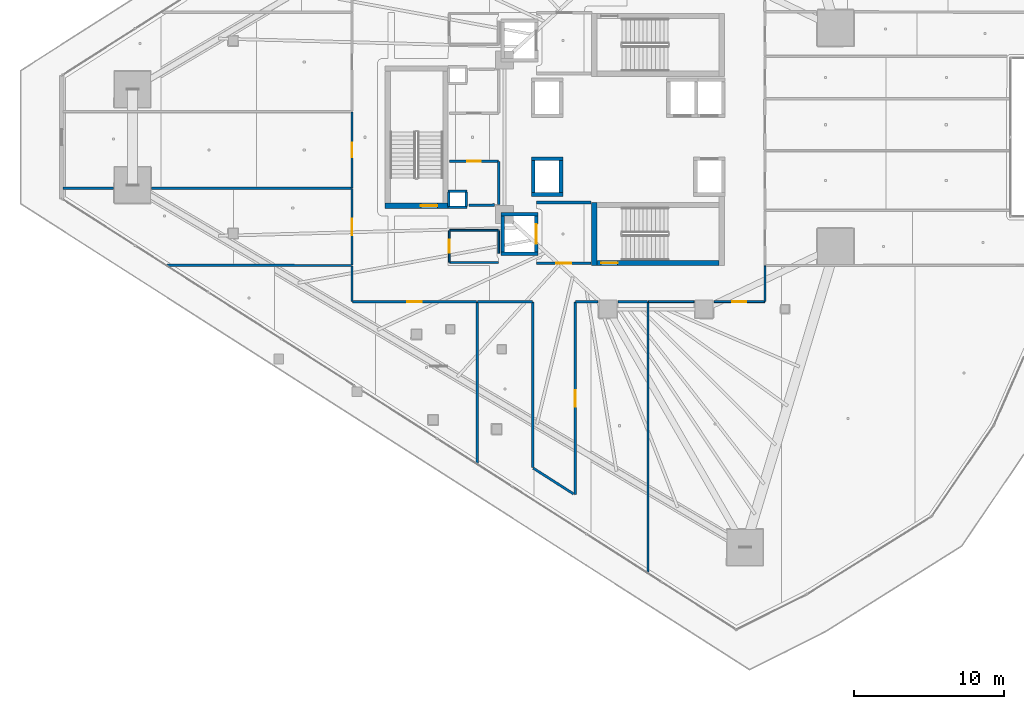
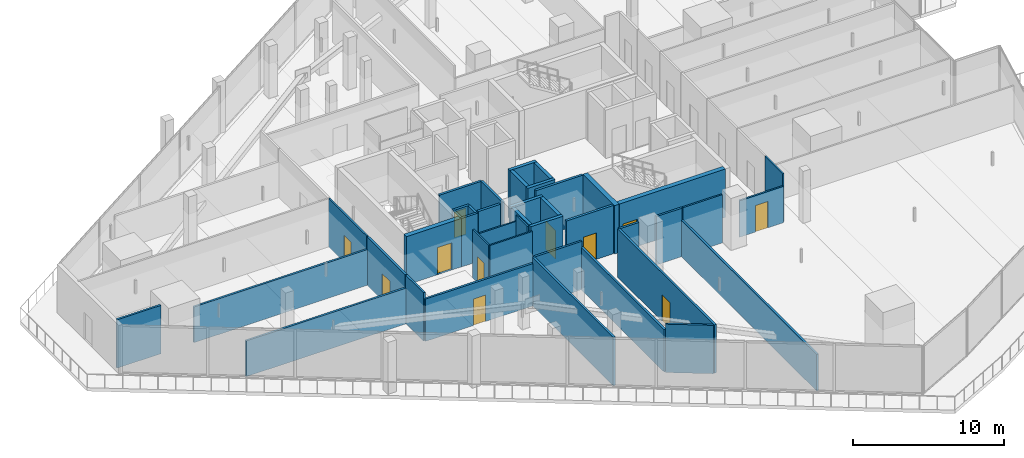
# One storey, part 37 of 52: 42 walls, 11 doors, 11 openings.
"""IFC4 building model written with IfcOpenShell, lengths in metres."""

from ifc_helpers import new_model, si_unit, direction, frame, frame_2d, origin, place, context, subcontext, project, spatial, rectangle, extrude, material, layer, layer_set, type_object, element, fill, save


model = new_model("IFC4")

# Units and contexts
model_context = context("Model", 3, precision=1e-05, world=origin(), true_north=direction((0.0, 1.0)))
body_context = subcontext(model_context, "Body", "Model", "MODEL_VIEW")
ifc_project = project(units=[si_unit("LENGTHUNIT", "METRE"), si_unit("AREAUNIT", "SQUARE_METRE"), si_unit("VOLUMEUNIT", "CUBIC_METRE"), si_unit("PLANEANGLEUNIT", "RADIAN"), si_unit("MASSUNIT", "GRAM", prefix="KILO")], contexts=[model_context])

# Site, building, storey
site_placement = place(None, origin())
site = spatial("IfcSite", under=ifc_project, at=site_placement, CompositionType="ELEMENT")
building_placement = place(site_placement, origin())
building = spatial("IfcBuilding", under=site, at=building_placement, Name="Qorvath Tower", CompositionType="ELEMENT")
storey_placement = place(building_placement, frame((0.0, 0.0, 61.800048828125)))
storey = spatial("IfcBuildingStorey", under=building, at=storey_placement, Name="L13", CompositionType="ELEMENT", Elevation=61.800048828125)

# Walls
ifc_material_1 = material(Name="Gypsum shaftliner on steel studs", Category="steel")
ifc_layer_1 = layer(ifc_material_1, 0.179931640625)
ifc_layer_set_1 = layer_set([ifc_layer_1], Name="FW-LOBBY")
wall_type_1 = type_object("IfcWallType", Name="FW-LOBBY", PredefinedType="PARTITIONING", material=ifc_layer_set_1)
for number, where, z_axis, x_axis, name in (
    (1, (-32.989990234375, -4.675048828125, 0.0), (0.0, 0.0, 1.0), (-1.0, 0.0, 0.0), "MEP Riser Shaft Enclosure Wall S-L13-S"),
    (2, (-34.260009765625, -3.594970703125, 0.0), (0.0, 0.0, 1.0), (1.0, 0.0, 0.0), "MEP Riser Shaft Enclosure Wall S-L13-N"),
):
    element("IfcWall", number, at=place(storey_placement, frame(where, z_axis=z_axis, x_axis=x_axis)), inside=storey, type_object=wall_type_1, Name=name, PredefinedType="PARTITIONING", context=body_context, shape_type="SweptSolid", body=[
        extrude(rectangle(XDim=1.27001953125, YDim=0.179931640625, at=frame_2d((0.635009765625, 0.0))), origin(), (0.0, 0.0, 1.0), 3.919921875),
    ])
for number, where, z_axis, x_axis, name in (
    (3, (-34.205078125, -4.610107421875, 0.0), (0.0, 0.0, 1.0), (0.0, 1.0, 0.0), "MEP Riser Shaft Enclosure Wall S-L13-W"),
    (4, (-33.044921875, -3.659912109375, 0.0), (0.0, 0.0, 1.0), (0.0, -1.0, 0.0), "MEP Riser Shaft Enclosure Wall S-L13-E"),
):
    element("IfcWall", number, at=place(storey_placement, frame(where, z_axis=z_axis, x_axis=x_axis)), inside=storey, type_object=wall_type_1, Name=name, PredefinedType="PARTITIONING", context=body_context, shape_type="SweptSolid", body=[
        extrude(rectangle(XDim=0.9501953125, YDim=0.179931640625, at=frame_2d((0.47509765625, 0.0))), origin(), (0.0, 0.0, 1.0), 3.919921875),
    ])

# Wall, opening, door
wall_1_placement = place(storey_placement, frame((-28.35498046875, -8.39990234375, 0.0), z_axis=(0.0, 0.0, 1.0), x_axis=(1.0, 0.0, 0.0)))
wall_1 = element("IfcWall", 5, at=wall_1_placement, inside=storey, type_object=wall_type_1, Name="Interior Partition IW-T1-L13-003", PredefinedType="PARTITIONING", context=body_context, shape_type="SweptSolid", body=[
    extrude(rectangle(XDim=3.6220703125, YDim=0.179931640625, at=frame_2d((1.81103515625, 0.0))), origin(), (0.0, 0.0, 1.0), 3.919921875),
])
opening_1_placement = place(wall_1_placement, frame((1.31103515625, 0.0, 0.0)))
opening_1 = element("IfcOpeningElement", 6, at=opening_1_placement, cuts=wall_1, Name="Opening D-T1-L13-20", PredefinedType="OPENING", context=body_context, shape_type="SweptSolid", body=[
    extrude(rectangle(XDim=1.0, YDim=2.14990234375, at=frame_2d((0.5, 1.074951171875))), frame((0.0, 0.10009765625, 0.0), z_axis=(0.0, -1.0, 0.0), x_axis=(1.0, 0.0, 0.0)), (0.0, 0.0, 1.0), 0.199951171875),
])
ifc_material_2 = material(Name="Painted galvanised hollow metal", Category="steel")
door_type_1 = type_object("IfcDoorType", Name="FD-60", OperationType="NOTDEFINED", PredefinedType="DOOR", material=ifc_material_2)
door_1_placement = place(opening_1_placement, origin())
door_1 = element("IfcDoor", 7, at=door_1_placement, inside=storey, type_object=door_type_1, Name="Lobby Fire Service Elevator South Door D-T1-L13-20", OperationType="SINGLE_SWING_LEFT", OverallHeight=2.14990234375, OverallWidth=1.0, PredefinedType="DOOR", context=body_context, shape_type="SweptSolid", body=[
    extrude(rectangle(XDim=1.0, YDim=2.14990234375, at=frame_2d((0.5, 1.074951171875))), frame((0.0, 0.02490234375, 0.0), z_axis=(0.0, -1.0, 0.0), x_axis=(1.0, 0.0, 0.0)), (0.0, 0.0, 1.0), 0.050048828125),
])
fill(opening_1, door_1)

# Walls
wall_2_placement = place(storey_placement, frame((-24.73291015625, -4.35009765625, 0.0), z_axis=(0.0, 0.0, 1.0), x_axis=(-1.0, 0.0, 0.0)))
element("IfcWall", 8, at=wall_2_placement, inside=storey, type_object=wall_type_1, Name="Interior Partition IW-T1-L13-004", PredefinedType="PARTITIONING", context=body_context, shape_type="SweptSolid", body=[
    extrude(rectangle(XDim=3.6220703125, YDim=0.179931640625, at=frame_2d((1.81103515625, 0.0))), origin(), (0.0, 0.0, 1.0), 3.919921875),
])
wall_3_placement = place(storey_placement, frame((-32.8798828125, -4.5380859375, 0.0), z_axis=(0.0, 0.0, 1.0), x_axis=(0.9999584918, 0.009111239105, 0.0)))
element("IfcWall", 9, at=wall_3_placement, inside=storey, type_object=wall_type_1, Name="Interior Partition IW-T1-L13-016", PredefinedType="PARTITIONING", context=body_context, shape_type="SweptSolid", body=[
    extrude(rectangle(XDim=1.71484375, YDim=0.179931640625, at=frame_2d((0.857421875, 0.0))), origin(), (0.0, 0.0, 1.0), 3.919921875),
])
wall_4_placement = place(storey_placement, frame((-30.8798828125, -4.485107421875, 0.0), z_axis=(0.0, 0.0, 1.0), x_axis=(0.0, 1.0, 0.0)))
element("IfcWall", 10, at=wall_4_placement, inside=storey, type_object=wall_type_1, Name="Interior Partition IW-T1-L13-017", PredefinedType="PARTITIONING", context=body_context, shape_type="SweptSolid", body=[
    extrude(rectangle(XDim=2.860107421875, YDim=0.179931640625, at=frame_2d((1.43017578125, 0.0))), origin(), (0.0, 0.0, 1.0), 3.919921875),
])

# Wall, opening, door
wall_5_placement = place(storey_placement, frame((-30.90478515625, -1.60009765625, 0.0), z_axis=(0.0, 0.0, 1.0), x_axis=(-1.0, 0.0, 0.0)))
wall_5 = element("IfcWall", 11, at=wall_5_placement, inside=storey, type_object=wall_type_1, Name="Interior Partition IW-T1-L13-018", PredefinedType="PARTITIONING", context=body_context, shape_type="SweptSolid", body=[
    extrude(rectangle(XDim=3.25, YDim=0.179931640625, at=frame_2d((1.625, 0.0))), origin(), (0.0, 0.0, 1.0), 3.919921875),
])
opening_2_placement = place(wall_5_placement, frame((1.18505859375, 0.0, 0.0)))
opening_2 = element("IfcOpeningElement", 12, at=opening_2_placement, cuts=wall_5, Name="Opening D-T1-L13-04", PredefinedType="OPENING", context=body_context, shape_type="SweptSolid", body=[
    extrude(rectangle(XDim=0.8798828125, YDim=2.10009765625, at=frame_2d((0.43994140625, 1.050048828125))), frame((0.0, 0.10009765625, 0.0), z_axis=(0.0, -1.0, 0.0), x_axis=(1.0, 0.0, 0.0)), (0.0, 0.0, 1.0), 0.199951171875),
])
ifc_material_3 = material(Name="Painted galvanised hollow metal", Category="steel")
door_type_2 = type_object("IfcDoorType", Name="FD-60N", OperationType="NOTDEFINED", PredefinedType="DOOR", material=ifc_material_3)
door_2_placement = place(opening_2_placement, origin())
door_2 = element("IfcDoor", 13, at=door_2_placement, inside=storey, type_object=door_type_2, Name="Core housekeeping store L13 Door D-T1-L13-04", OperationType="SINGLE_SWING_LEFT", OverallHeight=2.10009765625, OverallWidth=0.8798828125, PredefinedType="DOOR", context=body_context, shape_type="SweptSolid", body=[
    extrude(rectangle(XDim=0.8798828125, YDim=2.10009765625, at=frame_2d((0.43994140625, 1.050048828125))), frame((0.0, 0.02490234375, 0.0), z_axis=(0.0, -1.0, 0.0), x_axis=(1.0, 0.0, 0.0)), (0.0, 0.0, 1.0), 0.050048828125),
])
fill(opening_2, door_2)

ifc_material_4 = material(Name="Double acoustic gypsum board on steel studs", Category="steel")
ifc_layer_2 = layer(ifc_material_4, 0.159912109375)
ifc_layer_set_2 = layer_set([ifc_layer_2], Name="IW-ACOUSTIC-160")
wall_type_2 = type_object("IfcWallType", Name="IW-ACOUSTIC-160", PredefinedType="PARTITIONING", material=ifc_layer_set_2)
wall_6_placement = place(storey_placement, frame((-32.351806640625, -10.9580078125, 0.0), z_axis=(0.0, 0.0, 1.0), x_axis=(-1.0, 0.0, 0.0)))
wall_6 = element("IfcWall", 14, at=wall_6_placement, inside=storey, type_object=wall_type_2, Name="Interior Partition IW-T1-L13-033", PredefinedType="PARTITIONING", context=body_context, shape_type="SweptSolid", body=[
    extrude(rectangle(XDim=8.28125, YDim=0.159912109375, at=frame_2d((4.140625, 0.0))), origin(), (0.0, 0.0, 1.0), 3.432861328125),
])
opening_3_placement = place(wall_6_placement, frame((3.665771484375, 0.0, 0.0)))
opening_3 = element("IfcOpeningElement", 15, at=opening_3_placement, cuts=wall_6, Name="Opening D-T1-L13-08", PredefinedType="OPENING", context=body_context, shape_type="SweptSolid", body=[
    extrude(rectangle(XDim=0.949951171875, YDim=2.14990234375, at=frame_2d((0.47509765625, 1.074951171875))), frame((0.0, 0.08984375, 0.0), z_axis=(0.0, -1.0, 0.0), x_axis=(1.0, 0.0, 0.0)), (0.0, 0.0, 1.0), 0.179931640625),
])
ifc_material_5 = material(Name="Solid-core American white oak veneer", Category="wood")
door_type_3 = type_object("IfcDoorType", Name="D-01", OperationType="NOTDEFINED", PredefinedType="DOOR", material=ifc_material_5)
door_3_placement = place(opening_3_placement, origin())
door_3 = element("IfcDoor", 16, at=door_3_placement, inside=storey, type_object=door_type_3, Name="L13-04 Breakout Reading Alcove Door D-T1-L13-08", OperationType="SINGLE_SWING_LEFT", OverallHeight=2.14990234375, OverallWidth=0.949951171875, PredefinedType="DOOR", context=body_context, shape_type="SweptSolid", body=[
    extrude(rectangle(XDim=0.949951171875, YDim=2.14990234375, at=frame_2d((0.47509765625, 1.074951171875))), frame((0.0, 0.02490234375, 0.0), z_axis=(0.0, -1.0, 0.0), x_axis=(1.0, 0.0, 0.0)), (0.0, 0.0, 1.0), 0.050048828125),
])
fill(opening_3, door_3)

# Walls
wall_7_placement = place(storey_placement, frame((-40.657958984375, -8.574951171875, 0.0), z_axis=(0.0, 0.0, 1.0), x_axis=(0.0, -1.0, 0.0)))
element("IfcWall", 17, at=wall_7_placement, inside=storey, type_object=wall_type_2, Name="Interior Partition IW-T1-L13-034", PredefinedType="PARTITIONING", context=body_context, shape_type="SweptSolid", body=[
    extrude(rectangle(XDim=2.358154296875, YDim=0.159912109375, at=frame_2d((1.17919921875, 0.0))), origin(), (0.0, 0.0, 1.0), 3.919921875),
])
wall_8_placement = place(storey_placement, frame((-40.68310546875, -8.550048828125, 0.0), z_axis=(0.0, 0.0, 1.0), x_axis=(-0.999999290934, 0.001190853395, 0.0)))
element("IfcWall", 18, at=wall_8_placement, inside=storey, type_object=wall_type_2, Name="Interior Partition IW-T1-L13-035", PredefinedType="PARTITIONING", context=body_context, shape_type="SweptSolid", body=[
    extrude(rectangle(XDim=12.30078125, YDim=0.159912109375, at=frame_2d((6.150390625, 0.0))), origin(), (0.0, 0.0, 1.0), 2.889892578125),
])
wall_9_placement = place(storey_placement, frame((-32.32666015625, -21.708984375, 0.0), z_axis=(0.0, 0.0, 1.0), x_axis=(0.0, 1.0, 0.0)))
element("IfcWall", 19, at=wall_9_placement, inside=storey, type_object=wall_type_2, Name="Interior Partition IW-T1-L13-036", PredefinedType="PARTITIONING", context=body_context, shape_type="SweptSolid", body=[
    extrude(rectangle(XDim=10.72607421875, YDim=0.159912109375, at=frame_2d((5.363037109375, 0.0))), origin(), (0.0, 0.0, 1.0), 3.919921875),
])
wall_10_placement = place(storey_placement, frame((-24.264892578125, -10.9580078125, 0.0), z_axis=(0.0, 0.0, 1.0), x_axis=(-1.0, 0.0, 0.0)))
element("IfcWall", 20, at=wall_10_placement, inside=storey, type_object=wall_type_2, Name="Interior Partition IW-T1-L13-037", PredefinedType="PARTITIONING", context=body_context, shape_type="SweptSolid", body=[
    extrude(rectangle(XDim=1.502197265625, YDim=0.159912109375, at=frame_2d((0.7509765625, 0.0))), origin(), (0.0, 0.0, 1.0), 3.919921875),
])

# Wall, opening, door
wall_11_placement = place(storey_placement, frame((-25.7919921875, -23.81396484375, 0.0), z_axis=(0.0, 0.0, 1.0), x_axis=(0.0, 1.0, 0.0)))
wall_11 = element("IfcWall", 21, at=wall_11_placement, inside=storey, type_object=wall_type_2, Name="Interior Partition IW-T1-L13-038", PredefinedType="PARTITIONING", context=body_context, shape_type="SweptSolid", body=[
    extrude(rectangle(XDim=12.8310546875, YDim=0.159912109375, at=frame_2d((6.41552734375, 0.0))), origin(), (0.0, 0.0, 1.0), 3.919921875),
])
opening_4_placement = place(wall_11_placement, frame((5.865478515625, 0.0, 0.0)))
opening_4 = element("IfcOpeningElement", 22, at=opening_4_placement, cuts=wall_11, Name="Opening D-T1-L13-09", PredefinedType="OPENING", context=body_context, shape_type="SweptSolid", body=[
    extrude(rectangle(XDim=1.10009765625, YDim=2.14990234375, at=frame_2d((0.550048828125, 1.074951171875))), frame((0.0, 0.08984375, 0.0), z_axis=(0.0, -1.0, 0.0), x_axis=(1.0, 0.0, 0.0)), (0.0, 0.0, 1.0), 0.179931640625),
])
ifc_material_6 = material(Name="Anodised aluminium acoustic framed glass", Category="aluminium")
door_type_4 = type_object("IfcDoorType", Name="D-03", OperationType="NOTDEFINED", PredefinedType="DOOR", material=ifc_material_6)
door_4_placement = place(opening_4_placement, origin())
door_4 = element("IfcDoor", 23, at=door_4_placement, inside=storey, type_object=door_type_4, Name="L13-05 Digital Visualization Suite Door D-T1-L13-09", OperationType="SINGLE_SWING_RIGHT", OverallHeight=2.14990234375, OverallWidth=1.10009765625, PredefinedType="DOOR", context=body_context, shape_type="SweptSolid", body=[
    extrude(rectangle(XDim=1.10009765625, YDim=2.14990234375, at=frame_2d((0.550048828125, 1.074951171875))), frame((0.0, 0.02490234375, 0.0), z_axis=(0.0, -1.0, 0.0), x_axis=(1.0, 0.0, 0.0)), (0.0, 0.0, 1.0), 0.050048828125),
])
fill(opening_4, door_4)

# Walls
wall_12_placement = place(storey_placement, frame((-28.5869140625, -22.052490234375, 0.0), z_axis=(0.0, 0.0, 1.0), x_axis=(0.842617189406, -0.538513019451, 0.0)))
element("IfcWall", 24, at=wall_12_placement, inside=storey, type_object=wall_type_2, Name="Interior Partition IW-T1-L13-039", PredefinedType="PARTITIONING", context=body_context, shape_type="SweptSolid", body=[
    extrude(rectangle(XDim=3.191162109375, YDim=0.159912109375, at=frame_2d((1.595703125, 0.0))), origin(), (0.0, 0.0, 1.0), 3.919921875),
])
wall_13_placement = place(storey_placement, frame((-28.60791015625, -10.98291015625, 0.0), z_axis=(0.0, 0.0, 1.0), x_axis=(0.0, -1.0, 0.0)))
element("IfcWall", 25, at=wall_13_placement, inside=storey, type_object=wall_type_2, Name="Interior Partition IW-T1-L13-040", PredefinedType="PARTITIONING", context=body_context, shape_type="SweptSolid", body=[
    extrude(rectangle(XDim=11.03125, YDim=0.159912109375, at=frame_2d((5.515625, 0.0))), origin(), (0.0, 0.0, 1.0), 3.432861328125),
])
wall_14_placement = place(storey_placement, frame((-28.6328125, -10.9580078125, 0.0), z_axis=(0.0, 0.0, 1.0), x_axis=(-1.0, 0.0, 0.0)))
element("IfcWall", 26, at=wall_14_placement, inside=storey, type_object=wall_type_2, Name="Interior Partition IW-T1-L13-041", PredefinedType="PARTITIONING", context=body_context, shape_type="SweptSolid", body=[
    extrude(rectangle(XDim=3.660888671875, YDim=0.159912109375, at=frame_2d((1.83056640625, 0.0))), origin(), (0.0, 0.0, 1.0), 3.919921875),
])
wall_15_placement = place(storey_placement, frame((-20.935791015625, -28.9892578125, 0.0), z_axis=(0.0, 0.0, 1.0), x_axis=(0.0, 1.0, 0.0)))
element("IfcWall", 27, at=wall_15_placement, inside=storey, type_object=wall_type_2, Name="Interior Partition IW-T1-L13-042", PredefinedType="PARTITIONING", context=body_context, shape_type="SweptSolid", body=[
    extrude(rectangle(XDim=18.00634765625, YDim=0.159912109375, at=frame_2d((9.003173828125, 0.0))), origin(), (0.0, 0.0, 1.0), 2.956787109375),
])
wall_16_placement = place(storey_placement, frame((-20.960693359375, -10.9580078125, 0.0), z_axis=(0.0, 0.0, 1.0), x_axis=(-1.0, 0.0, 0.0)))
element("IfcWall", 28, at=wall_16_placement, inside=storey, type_object=wall_type_2, Name="Interior Partition IW-T1-L13-043", PredefinedType="PARTITIONING", context=body_context, shape_type="SweptSolid", body=[
    extrude(rectangle(XDim=1.974365234375, YDim=0.159912109375, at=frame_2d((0.9873046875, 0.0))), origin(), (0.0, 0.0, 1.0), 3.919921875),
])

# Wall, opening, door
wall_17_placement = place(storey_placement, frame((-40.657958984375, -8.51708984375, 0.0), z_axis=(0.0, 0.0, 1.0), x_axis=(0.0, 1.0, 0.0)))
wall_17 = element("IfcWall", 29, at=wall_17_placement, inside=storey, type_object=wall_type_2, Name="Interior Partition IW-T1-L13-057", PredefinedType="PARTITIONING", context=body_context, shape_type="SweptSolid", body=[
    extrude(rectangle(XDim=5.08935546875, YDim=0.159912109375, at=frame_2d((2.544677734375, 0.0))), origin(), (0.0, 0.0, 1.0), 3.919921875),
])
opening_5_placement = place(wall_17_placement, frame((1.99462890625, 0.0, 0.0)))
opening_5 = element("IfcOpeningElement", 30, at=opening_5_placement, cuts=wall_17, Name="Opening D-T1-L13-16", PredefinedType="OPENING", context=body_context, shape_type="SweptSolid", body=[
    extrude(rectangle(XDim=1.10009765625, YDim=2.14990234375, at=frame_2d((0.550048828125, 1.074951171875))), frame((0.0, 0.08984375, 0.0), z_axis=(0.0, -1.0, 0.0), x_axis=(1.0, 0.0, 0.0)), (0.0, 0.0, 1.0), 0.179931640625),
])
door_5_placement = place(opening_5_placement, origin())
door_5 = element("IfcDoor", 31, at=door_5_placement, inside=storey, type_object=door_type_4, Name="L13-12 Client Services Office Door D-T1-L13-16", OperationType="SINGLE_SWING_LEFT", OverallHeight=2.14990234375, OverallWidth=1.10009765625, PredefinedType="DOOR", context=body_context, shape_type="SweptSolid", body=[
    extrude(rectangle(XDim=1.10009765625, YDim=2.14990234375, at=frame_2d((0.550048828125, 1.074951171875))), frame((0.0, 0.02490234375, 0.0), z_axis=(0.0, -1.0, 0.0), x_axis=(1.0, 0.0, 0.0)), (0.0, 0.0, 1.0), 0.050048828125),
])
fill(opening_5, door_5)

# Walls
wall_18_placement = place(storey_placement, frame((-40.68310546875, -3.40283203125, 0.0), z_axis=(0.0, 0.0, 1.0), x_axis=(-1.0, 0.0, 0.0)))
element("IfcWall", 32, at=wall_18_placement, inside=storey, type_object=wall_type_2, Name="Interior Partition IW-T1-L13-058", PredefinedType="PARTITIONING", context=body_context, shape_type="SweptSolid", body=[
    extrude(rectangle(XDim=13.334716796875, YDim=0.159912109375, at=frame_2d((6.66748046875, 0.0))), origin(), (0.0, 0.0, 1.0), 2.889892578125),
])
wall_19_placement = place(storey_placement, frame((-56.5478515625, -3.40283203125, 0.0), z_axis=(0.0, 0.0, 1.0), x_axis=(-1.0, 0.0, 0.0)))
element("IfcWall", 33, at=wall_19_placement, inside=storey, type_object=wall_type_2, Name="Interior Partition IW-T1-L13-059", PredefinedType="PARTITIONING", context=body_context, shape_type="SweptSolid", body=[
    extrude(rectangle(XDim=3.37060546875, YDim=0.159912109375, at=frame_2d((1.685302734375, 0.0))), origin(), (0.0, 0.0, 1.0), 3.919921875),
])
ifc_material_7 = material(Name="Gypsum board on metal studs with mineral wool", Category="gypsum")
ifc_layer_3 = layer(ifc_material_7, 0.125)
ifc_layer_set_3 = layer_set([ifc_layer_3], Name="IW-PART-125")
wall_type_3 = type_object("IfcWallType", Name="IW-PART-125", PredefinedType="PARTITIONING", material=ifc_layer_set_3)
wall_20_placement = place(storey_placement, frame((-13.14208984375, -8.574951171875, 0.0), z_axis=(0.0, 0.0, 1.0), x_axis=(0.0, -1.0, 0.0)))
element("IfcWall", 34, at=wall_20_placement, inside=storey, type_object=wall_type_3, Name="Interior Partition IW-T1-L13-045", PredefinedType="PARTITIONING", context=body_context, shape_type="SweptSolid", body=[
    extrude(rectangle(XDim=2.358154296875, YDim=0.125, at=frame_2d((1.17919921875, 0.0))), origin(), (0.0, 0.0, 1.0), 3.919921875),
])

# Wall, opening, door
wall_21_placement = place(storey_placement, frame((-13.1669921875, -10.9580078125, 0.0), z_axis=(0.0, 0.0, 1.0), x_axis=(-1.0, 0.0, 0.0)))
wall_21 = element("IfcWall", 35, at=wall_21_placement, inside=storey, type_object=wall_type_3, Name="Interior Partition IW-T1-L13-046", PredefinedType="PARTITIONING", context=body_context, shape_type="SweptSolid", body=[
    extrude(rectangle(XDim=3.367919921875, YDim=0.125, at=frame_2d((1.68408203125, 0.0))), origin(), (0.0, 0.0, 1.0), 2.956787109375),
])
opening_6_placement = place(wall_21_placement, frame((1.208984375, 0.0, 0.0)))
opening_6 = element("IfcOpeningElement", 36, at=opening_6_placement, cuts=wall_21, Name="Opening D-T1-L13-10", PredefinedType="OPENING", context=body_context, shape_type="SweptSolid", body=[
    extrude(rectangle(XDim=0.949951171875, YDim=2.14990234375, at=frame_2d((0.47509765625, 1.074951171875))), frame((0.0, 0.072509765625, 0.0), z_axis=(0.0, -1.0, 0.0), x_axis=(1.0, 0.0, 0.0)), (0.0, 0.0, 1.0), 0.14501953125),
])
door_6_placement = place(opening_6_placement, origin())
door_6 = element("IfcDoor", 37, at=door_6_placement, inside=storey, type_object=door_type_3, Name="L13-06 Quantitative Research Studio Door D-T1-L13-10", OperationType="SINGLE_SWING_LEFT", OverallHeight=2.14990234375, OverallWidth=0.949951171875, PredefinedType="DOOR", context=body_context, shape_type="SweptSolid", body=[
    extrude(rectangle(XDim=0.949951171875, YDim=2.14990234375, at=frame_2d((0.47509765625, 1.074951171875))), frame((0.0, 0.02490234375, 0.0), z_axis=(0.0, -1.0, 0.0), x_axis=(1.0, 0.0, 0.0)), (0.0, 0.0, 1.0), 0.050048828125),
])
fill(opening_6, door_6)

# Wall
wall_22_placement = place(storey_placement, frame((-17.864990234375, -10.9580078125, 0.0), z_axis=(0.0, 0.0, 1.0), x_axis=(-1.0, 0.0, 0.0)))
element("IfcWall", 38, at=wall_22_placement, inside=storey, type_object=wall_type_3, Name="Interior Partition IW-T1-L13-047", PredefinedType="PARTITIONING", context=body_context, shape_type="SweptSolid", body=[
    extrude(rectangle(XDim=3.0380859375, YDim=0.125, at=frame_2d((1.51904296875, 0.0))), origin(), (0.0, 0.0, 1.0), 3.919921875),
])

# Wall, opening, door
wall_23_placement = place(storey_placement, frame((-40.657958984375, -3.369873046875, 0.0), z_axis=(0.0, 0.0, 1.0), x_axis=(0.0, 1.0, 0.0)))
wall_23 = element("IfcWall", 39, at=wall_23_placement, inside=storey, type_object=wall_type_3, Name="Interior Partition IW-T1-L13-060", PredefinedType="PARTITIONING", context=body_context, shape_type="SweptSolid", body=[
    extrude(rectangle(XDim=5.0478515625, YDim=0.125, at=frame_2d((2.52392578125, 0.0))), origin(), (0.0, 0.0, 1.0), 3.919921875),
])
opening_7_placement = place(wall_23_placement, frame((2.048828125, 0.0, 0.0)))
opening_7 = element("IfcOpeningElement", 40, at=opening_7_placement, cuts=wall_23, Name="Opening D-T1-L13-17", PredefinedType="OPENING", context=body_context, shape_type="SweptSolid", body=[
    extrude(rectangle(XDim=0.949951171875, YDim=2.14990234375, at=frame_2d((0.47509765625, 1.074951171875))), frame((0.0, 0.072509765625, 0.0), z_axis=(0.0, -1.0, 0.0), x_axis=(1.0, 0.0, 0.0)), (0.0, 0.0, 1.0), 0.14501953125),
])
door_7_placement = place(opening_7_placement, origin())
door_7 = element("IfcDoor", 41, at=door_7_placement, inside=storey, type_object=door_type_3, Name="L13-13 Project Collaboration Workspace Door D-T1-L13-17", OperationType="SINGLE_SWING_RIGHT", OverallHeight=2.14990234375, OverallWidth=0.949951171875, PredefinedType="DOOR", context=body_context, shape_type="SweptSolid", body=[
    extrude(rectangle(XDim=0.949951171875, YDim=2.14990234375, at=frame_2d((0.47509765625, 1.074951171875))), frame((0.0, 0.02490234375, 0.0), z_axis=(0.0, -1.0, 0.0), x_axis=(1.0, 0.0, 0.0)), (0.0, 0.0, 1.0), 0.050048828125),
])
fill(opening_7, door_7)

ifc_material_8 = material(Name="Moisture-resistant cement board on metal studs", Category="gypsum")
ifc_layer_4 = layer(ifc_material_8, 0.110107421875)
ifc_layer_set_4 = layer_set([ifc_layer_4], Name="IW-WC-110")
wall_type_4 = type_object("IfcWallType", Name="IW-WC-110", PredefinedType="PARTITIONING", material=ifc_layer_set_4)
wall_24_placement = place(storey_placement, frame((-34.179931640625, -6.22509765625, 0.0), z_axis=(0.0, 0.0, 1.0), x_axis=(0.0, -1.0, 0.0)))
wall_24 = element("IfcWall", 42, at=wall_24_placement, inside=storey, type_object=wall_type_4, Name="Interior Partition IW-T1-L13-009", PredefinedType="PARTITIONING", context=body_context, shape_type="SweptSolid", body=[
    extrude(rectangle(XDim=2.10009765625, YDim=0.110107421875, at=frame_2d((1.050048828125, 0.0))), origin(), (0.0, 0.0, 1.0), 3.919921875),
])
opening_8_placement = place(wall_24_placement, frame((0.610107421875, 0.0, 0.0)))
opening_8 = element("IfcOpeningElement", 43, at=opening_8_placement, cuts=wall_24, Name="Opening D-T1-L13-02", PredefinedType="OPENING", context=body_context, shape_type="SweptSolid", body=[
    extrude(rectangle(XDim=0.8798828125, YDim=2.10009765625, at=frame_2d((0.43994140625, 1.050048828125))), frame((0.0, 0.06494140625, 0.0), z_axis=(0.0, -1.0, 0.0), x_axis=(1.0, 0.0, 0.0)), (0.0, 0.0, 1.0), 0.130126953125),
])
ifc_material_9 = material(Name="Solid-core oak with acoustic drop seal", Category="wood")
door_type_5 = type_object("IfcDoorType", Name="D-02", OperationType="NOTDEFINED", PredefinedType="DOOR", material=ifc_material_9)
door_8_placement = place(opening_8_placement, origin())
door_8 = element("IfcDoor", 44, at=door_8_placement, inside=storey, type_object=door_type_5, Name="Accessible WC South L13 Door D-T1-L13-02", OperationType="SINGLE_SWING_LEFT", OverallHeight=2.10009765625, OverallWidth=0.8798828125, PredefinedType="DOOR", context=body_context, shape_type="SweptSolid", body=[
    extrude(rectangle(XDim=0.8798828125, YDim=2.10009765625, at=frame_2d((0.43994140625, 1.050048828125))), frame((0.0, 0.02490234375, 0.0), z_axis=(0.0, -1.0, 0.0), x_axis=(1.0, 0.0, 0.0)), (0.0, 0.0, 1.0), 0.050048828125),
])
fill(opening_8, door_8)

# Walls
wall_25_placement = place(storey_placement, frame((-34.15478515625, -8.35009765625, 0.0), z_axis=(0.0, 0.0, 1.0), x_axis=(1.0, 0.0, 0.0)))
element("IfcWall", 45, at=wall_25_placement, inside=storey, type_object=wall_type_4, Name="Interior Partition IW-T1-L13-010", PredefinedType="PARTITIONING", context=body_context, shape_type="SweptSolid", body=[
    extrude(rectangle(XDim=3.25, YDim=0.110107421875, at=frame_2d((1.625, 0.0))), origin(), (0.0, 0.0, 1.0), 3.919921875),
])
wall_26_placement = place(storey_placement, frame((-30.8798828125, -7.742919921875, 0.0), z_axis=(0.0, 0.0, 1.0), x_axis=(0.0, 1.0, 0.0)))
element("IfcWall", 46, at=wall_26_placement, inside=storey, type_object=wall_type_4, Name="Interior Partition IW-T1-L13-011", PredefinedType="PARTITIONING", context=body_context, shape_type="SweptSolid", body=[
    extrude(rectangle(XDim=1.517822265625, YDim=0.110107421875, at=frame_2d((0.7587890625, 0.0))), origin(), (0.0, 0.0, 1.0), 3.919921875),
])
wall_27_placement = place(storey_placement, frame((-30.90478515625, -6.199951171875, 0.0), z_axis=(0.0, 0.0, 1.0), x_axis=(-1.0, 0.0, 0.0)))
element("IfcWall", 47, at=wall_27_placement, inside=storey, type_object=wall_type_4, Name="Interior Partition IW-T1-L13-012", PredefinedType="PARTITIONING", context=body_context, shape_type="SweptSolid", body=[
    extrude(rectangle(XDim=3.25, YDim=0.110107421875, at=frame_2d((1.625, 0.0))), origin(), (0.0, 0.0, 1.0), 3.432861328125),
])
ifc_material_10 = material(Name="Concrete C60/75", Category="concrete")
ifc_layer_5 = layer(ifc_material_10, 0.260009765625)
ifc_layer_set_5 = layer_set([ifc_layer_5], Name="SW-SHAFT")
wall_type_5 = type_object("IfcWallType", Name="SW-SHAFT", PredefinedType="SHEAR", material=ifc_layer_set_5)
for number, where, z_axis, x_axis, name in (
    (48, (-28.260009765625, -7.77001953125, 0.0), (0.0, 0.0, 1.0), (-1.0, 0.0, 0.0), "Hoistway Wall FSAE-2 L13 S"),
    (49, (-30.739990234375, -5.1298828125, 0.0), (0.0, 0.0, 1.0), (1.0, 0.0, 0.0), "Hoistway Wall FSAE-2 L13 N"),
):
    element("IfcWall", number, at=place(storey_placement, frame(where, z_axis=z_axis, x_axis=x_axis)), inside=storey, type_object=wall_type_5, Name=name, PredefinedType="SHEAR", context=body_context, shape_type="SweptSolid", body=[
        extrude(rectangle(XDim=2.47998046875, YDim=0.239990234375, at=frame_2d((1.239990234375, 0.0))), origin(), (0.0, 0.0, 1.0), 3.919921875),
    ])
wall_28_placement = place(storey_placement, frame((-30.6201171875, -7.637939453125, 0.0), z_axis=(0.0, 0.0, 1.0), x_axis=(0.0, 1.0, 0.0)))
element("IfcWall", 50, at=wall_28_placement, inside=storey, type_object=wall_type_5, Name="Hoistway Wall FSAE-2 L13 W", PredefinedType="SHEAR", context=body_context, shape_type="SweptSolid", body=[
    extrude(rectangle(XDim=2.3759765625, YDim=0.239990234375, at=frame_2d((1.18798828125, 0.0))), origin(), (0.0, 0.0, 1.0), 3.919921875),
])

# Wall, opening, door
wall_29_placement = place(storey_placement, frame((-28.3798828125, -5.261962890625, 0.0), z_axis=(0.0, 0.0, 1.0), x_axis=(0.0, -1.0, 0.0)))
wall_29 = element("IfcWall", 51, at=wall_29_placement, inside=storey, type_object=wall_type_5, Name="Hoistway Wall FSAE-2 L13 E", PredefinedType="SHEAR", context=body_context, shape_type="SweptSolid", body=[
    extrude(rectangle(XDim=2.3759765625, YDim=0.239990234375, at=frame_2d((1.18798828125, 0.0))), origin(), (0.0, 0.0, 1.0), 3.919921875),
])
opening_9_placement = place(wall_29_placement, frame((0.5380859375, 0.0, 0.0)))
opening_9 = element("IfcOpeningElement", 52, at=opening_9_placement, cuts=wall_29, Name="Opening LD-FSAE-2-L13", PredefinedType="OPENING", context=body_context, shape_type="SweptSolid", body=[
    extrude(rectangle(XDim=1.300048828125, YDim=2.300048828125, at=frame_2d((0.64990234375, 1.14990234375))), frame((0.0, 0.1298828125, 0.0), z_axis=(0.0, -1.0, 0.0), x_axis=(1.0, 0.0, 0.0)), (0.0, 0.0, 1.0), 0.260009765625),
])
ifc_material_11 = material(Name="Brushed stainless steel AISI 316", Category="steel")
door_type_6 = type_object("IfcDoorType", Name="LD-02", OperationType="NOTDEFINED", PredefinedType="DOOR", material=ifc_material_11)
door_9_placement = place(opening_9_placement, origin())
door_9 = element("IfcDoor", 53, at=door_9_placement, inside=storey, type_object=door_type_6, Name="Elevator Landing Sliding Door LD-FSAE-2-L13", OperationType="DOUBLE_DOOR_SLIDING", OverallHeight=2.300048828125, OverallWidth=1.300048828125, PredefinedType="DOOR", context=body_context, shape_type="SweptSolid", body=[
    extrude(rectangle(XDim=1.300048828125, YDim=2.300048828125, at=frame_2d((0.64990234375, 1.14990234375))), frame((0.0, 0.02490234375, 0.0), z_axis=(0.0, -1.0, 0.0), x_axis=(1.0, 0.0, 0.0)), (0.0, 0.0, 1.0), 0.050048828125),
])
fill(opening_9, door_9)

# Walls
for number, where, z_axis, x_axis, name in (
    (54, (-26.610107421875, -3.820068359375, 0.0), (0.0, 0.0, 1.0), (-1.0, 0.0, 0.0), "Hoistway Wall PS-2 L13 S"),
    (55, (-28.68994140625, -1.429931640625, 0.0), (0.0, 0.0, 1.0), (1.0, 0.0, 0.0), "Hoistway Wall PS-2 L13 N"),
):
    element("IfcWall", number, at=place(storey_placement, frame(where, z_axis=z_axis, x_axis=x_axis)), inside=storey, type_object=wall_type_5, Name=name, PredefinedType="SHEAR", context=body_context, shape_type="SweptSolid", body=[
        extrude(rectangle(XDim=2.079833984375, YDim=0.239990234375, at=frame_2d((1.0400390625, 0.0))), origin(), (0.0, 0.0, 1.0), 3.919921875),
    ])
for number, where, z_axis, x_axis, name in (
    (56, (-28.570068359375, -3.68798828125, 0.0), (0.0, 0.0, 1.0), (0.0, 1.0, 0.0), "Hoistway Wall PS-2 L13 W"),
    (57, (-26.72998046875, -1.56201171875, 0.0), (0.0, 0.0, 1.0), (0.0, -1.0, 0.0), "Hoistway Wall PS-2 L13 E"),
):
    element("IfcWall", number, at=place(storey_placement, frame(where, z_axis=z_axis, x_axis=x_axis)), inside=storey, type_object=wall_type_5, Name=name, PredefinedType="SHEAR", context=body_context, shape_type="SweptSolid", body=[
        extrude(rectangle(XDim=2.1259765625, YDim=0.239990234375, at=frame_2d((1.06298828125, 0.0))), origin(), (0.0, 0.0, 1.0), 3.919921875),
    ])
ifc_material_12 = material(Name="Concrete C60/75", Category="concrete")
ifc_layer_6 = layer(ifc_material_12, 0.35009765625)
ifc_layer_set_6 = layer_set([ifc_layer_6], Name="SW-STAIR")
wall_type_6 = type_object("IfcWallType", Name="SW-STAIR", PredefinedType="SHEAR", material=ifc_layer_set_6)
wall_30_placement = place(storey_placement, frame((-24.52490234375, -4.340087890625, 0.0), z_axis=(0.0, 0.0, 1.0), x_axis=(0.0, -1.0, 0.0)))
element("IfcWall", 58, at=wall_30_placement, inside=storey, type_object=wall_type_6, Name="Stair TS2 Shear Wall L13 NEAR", PredefinedType="SHEAR", context=body_context, shape_type="SweptSolid", body=[
    extrude(rectangle(XDim=4.2099609375, YDim=0.35009765625, at=frame_2d((2.10498046875, 0.0))), origin(), (0.0, 0.0, 1.0), 3.919921875),
])

# Wall, opening, door
wall_31_placement = place(storey_placement, frame((-24.3349609375, -8.375, 0.0), z_axis=(0.0, 0.0, 1.0), x_axis=(1.0, 0.0, 0.0)))
wall_31 = element("IfcWall", 59, at=wall_31_placement, inside=storey, type_object=wall_type_6, Name="Stair TS2 Shear Wall L13 LEFT", PredefinedType="SHEAR", context=body_context, shape_type="SweptSolid", body=[
    extrude(rectangle(XDim=8.119873046875, YDim=0.35009765625, at=frame_2d((4.06005859375, 0.0))), origin(), (0.0, 0.0, 1.0), 3.919921875),
])
opening_10_placement = place(wall_31_placement, frame((0.280029296875, 0.0, 0.0)))
opening_10 = element("IfcOpeningElement", 60, at=opening_10_placement, cuts=wall_31, Name="Opening D-TS2-L13", PredefinedType="OPENING", context=body_context, shape_type="SweptSolid", body=[
    extrude(rectangle(XDim=1.10009765625, YDim=2.199951171875, at=frame_2d((0.550048828125, 1.10009765625))), frame((0.0, 0.18505859375, 0.0), z_axis=(0.0, -1.0, 0.0), x_axis=(1.0, 0.0, 0.0)), (0.0, 0.0, 1.0), 0.3701171875),
])
ifc_material_13 = material(Name="Painted galvanised hollow metal", Category="steel")
door_type_7 = type_object("IfcDoorType", Name="FD-90", OperationType="NOTDEFINED", PredefinedType="DOOR", material=ifc_material_13)
door_10_placement = place(opening_10_placement, origin())
door_10 = element("IfcDoor", 61, at=door_10_placement, inside=storey, type_object=door_type_7, Name="Stair TS2 Fire Door L13", OperationType="SINGLE_SWING_RIGHT", OverallHeight=2.199951171875, OverallWidth=1.10009765625, PredefinedType="DOOR", context=body_context, shape_type="SweptSolid", body=[
    extrude(rectangle(XDim=1.10009765625, YDim=2.199951171875, at=frame_2d((0.550048828125, 1.10009765625))), frame((0.0, 0.02490234375, 0.0), z_axis=(0.0, -1.0, 0.0), x_axis=(1.0, 0.0, 0.0)), (0.0, 0.0, 1.0), 0.050048828125),
])
fill(opening_10, door_10)

wall_32_placement = place(storey_placement, frame((-38.4599609375, -4.574951171875, 0.0), z_axis=(0.0, 0.0, 1.0), x_axis=(1.0, 0.0, 0.0)))
wall_32 = element("IfcWall", 62, at=wall_32_placement, inside=storey, type_object=wall_type_6, Name="Stair TS3 Shear Wall L13 NEAR", PredefinedType="SHEAR", context=body_context, shape_type="SweptSolid", body=[
    extrude(rectangle(XDim=4.2099609375, YDim=0.35009765625, at=frame_2d((2.10498046875, 0.0))), origin(), (0.0, 0.0, 1.0), 3.919921875),
])
opening_11_placement = place(wall_32_placement, frame((2.389892578125, 0.0, 0.0)))
opening_11 = element("IfcOpeningElement", 63, at=opening_11_placement, cuts=wall_32, Name="Opening D-TS3-L13", PredefinedType="OPENING", context=body_context, shape_type="SweptSolid", body=[
    extrude(rectangle(XDim=1.10009765625, YDim=2.199951171875, at=frame_2d((0.550048828125, 1.10009765625))), frame((0.0, 0.18505859375, 0.0), z_axis=(0.0, -1.0, 0.0), x_axis=(1.0, 0.0, 0.0)), (0.0, 0.0, 1.0), 0.3701171875),
])
door_11_placement = place(opening_11_placement, origin())
door_11 = element("IfcDoor", 64, at=door_11_placement, inside=storey, type_object=door_type_7, Name="Stair TS3 Fire Door L13", OperationType="SINGLE_SWING_RIGHT", OverallHeight=2.199951171875, OverallWidth=1.10009765625, PredefinedType="DOOR", context=body_context, shape_type="SweptSolid", body=[
    extrude(rectangle(XDim=1.10009765625, YDim=2.199951171875, at=frame_2d((0.550048828125, 1.10009765625))), frame((0.0, 0.02490234375, 0.0), z_axis=(0.0, -1.0, 0.0), x_axis=(1.0, 0.0, 0.0)), (0.0, 0.0, 1.0), 0.050048828125),
])
fill(opening_11, door_11)

save(model, "model.ifc")
